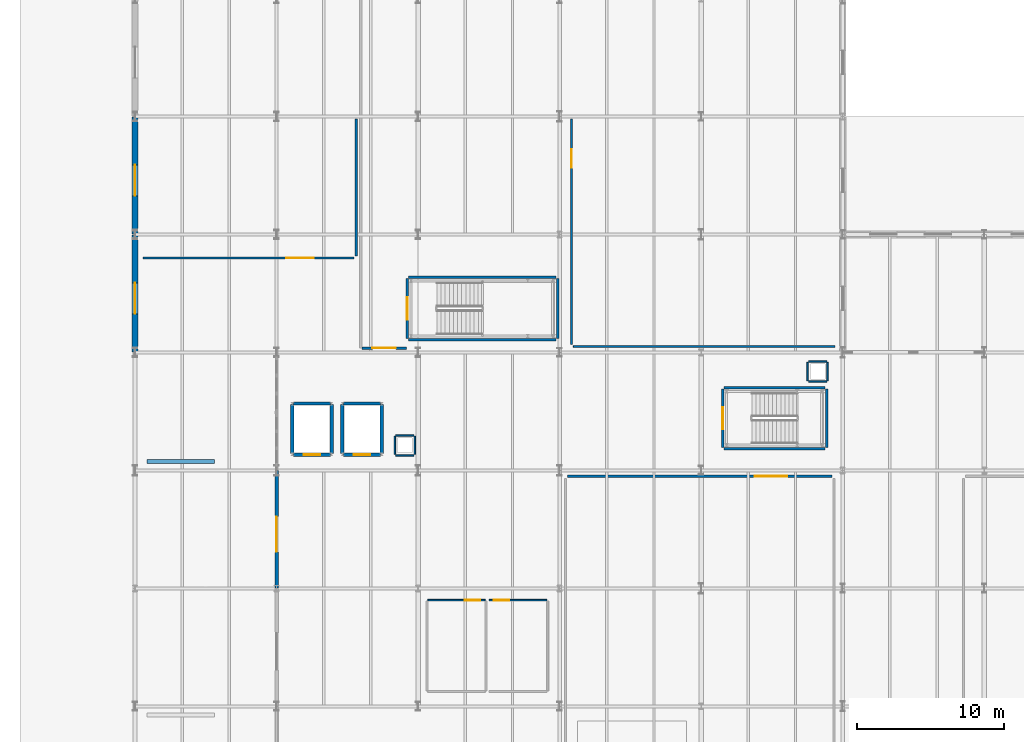
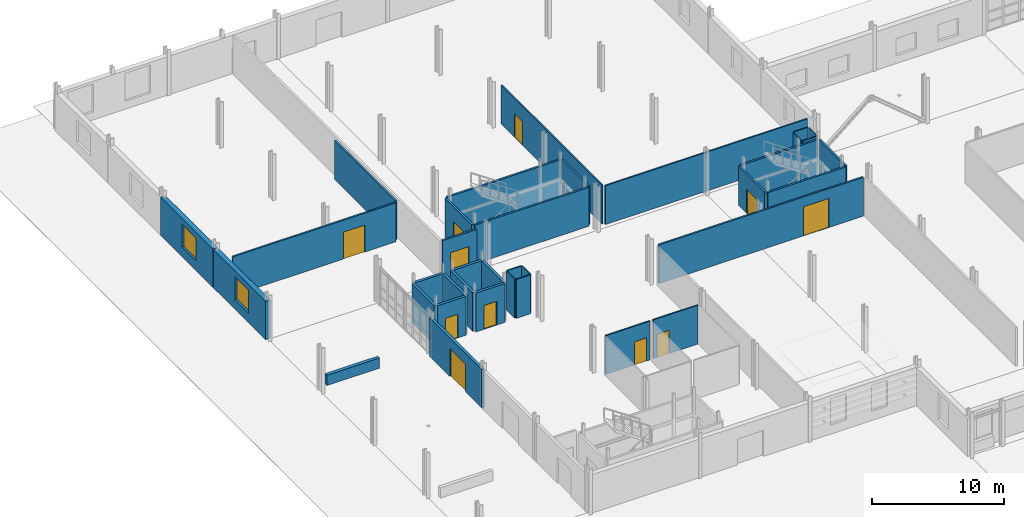
# One storey, part 61 of 78: 36 walls, 11 doors, 2 windows, 13 openings.
"""IFC4 building model written with IfcOpenShell, lengths in metres."""

from ifc_helpers import new_model, si_unit, direction, frame, frame_2d, origin, place, context, subcontext, project, spatial, rectangle, extrude, material, layer, layer_set, type_object, element, fill, save


model = new_model("IFC4")

# Units and contexts
model_context = context("Model", 3, precision=1e-05, world=origin(), true_north=direction((0.0, 1.0)))
body_context = subcontext(model_context, "Body", "Model", "MODEL_VIEW")
ifc_project = project(units=[si_unit("LENGTHUNIT", "METRE"), si_unit("AREAUNIT", "SQUARE_METRE"), si_unit("VOLUMEUNIT", "CUBIC_METRE"), si_unit("PLANEANGLEUNIT", "RADIAN"), si_unit("MASSUNIT", "GRAM", prefix="KILO")], contexts=[model_context])

# Site, building, storey
site_placement = place(None, origin())
site = spatial("IfcSite", under=ifc_project, at=site_placement, CompositionType="ELEMENT")
building_placement = place(site_placement, origin())
building = spatial("IfcBuilding", under=site, at=building_placement, Name="Alderhovde Museum", CompositionType="ELEMENT")
storey_placement = place(building_placement, origin())
storey = spatial("IfcBuildingStorey", under=building, at=storey_placement, Name="L00", CompositionType="ELEMENT", Elevation=0.0)

# Wall, opening, window
ifc_material_1 = material(Name="Nordic Granite Plinth Masonry", Category="masonry")
ifc_layer_1 = layer(ifc_material_1, 0.419921875)
ifc_layer_set_1 = layer_set([ifc_layer_1], Name="Nordic Granite Plinth Masonry")
wall_type_1 = type_object("IfcWallType", Name="EW-GRAN-420", PredefinedType="SOLIDWALL", material=ifc_layer_set_1)
wall_1_placement = place(storey_placement, frame((9.60009765625, 80.02001953125, 0.0), z_axis=(0.0, 0.0, 1.0), x_axis=(0.0, 1.0, 0.0)))
wall_1 = element("IfcWall", 1, at=wall_1_placement, inside=storey, type_object=wall_type_1, Name="L00 North Wing West Wall 120", PredefinedType="SOLIDWALL", context=body_context, shape_type="SweptSolid", body=[
    extrude(rectangle(XDim=7.9599609375, YDim=0.419921875, at=frame_2d((3.97998046875, 0.0))), origin(), (0.0, 0.0, 1.0), 3.56005859375),
])
opening_1_placement = place(wall_1_placement, frame((2.60009765625, 0.0, 0.89990234375)))
opening_1 = element("IfcOpeningElement", 2, at=opening_1_placement, cuts=wall_1, Name="Opening W10", PredefinedType="OPENING", context=body_context, shape_type="SweptSolid", body=[
    extrude(rectangle(XDim=2.10009765625, YDim=2.10009765625, at=frame_2d((1.050048828125, 1.050048828125))), frame((0.0, 0.219970703125, 0.0), z_axis=(0.0, -1.0, 0.0), x_axis=(1.0, 0.0, 0.0)), (0.0, 0.0, 1.0), 0.43994140625),
])
ifc_material_2 = material(Name="Triple-Glazed Low-E Bronze-Anodised Aluminium", Category="aluminium")
window_type = type_object("IfcWindowType", Name="WIN-BA-2100x2100", PartitioningType="DOUBLE_PANEL_VERTICAL", PredefinedType="WINDOW", material=ifc_material_2)
window_1_placement = place(opening_1_placement, origin())
window_1 = element("IfcWindow", 3, at=window_1_placement, inside=storey, type_object=window_type, Name="L00 Facade Window 95", OverallHeight=2.10009765625, OverallWidth=2.10009765625, PartitioningType="SINGLE_PANEL", PredefinedType="WINDOW", context=body_context, shape_type="SweptSolid", body=[
    extrude(rectangle(XDim=2.10009765625, YDim=2.10009765625, at=frame_2d((1.050048828125, 1.050048828125))), frame((0.0, 0.030029296875, 0.0), z_axis=(0.0, -1.0, 0.0), x_axis=(1.0, 0.0, 0.0)), (0.0, 0.0, 1.0), 0.06005859375),
])
fill(opening_1, window_1)

wall_2_placement = place(storey_placement, frame((9.60009765625, 88.02001953125, 0.0), z_axis=(0.0, 0.0, 1.0), x_axis=(0.0, 1.0, 0.0)))
wall_2 = element("IfcWall", 4, at=wall_2_placement, inside=storey, type_object=wall_type_1, Name="L00 North Wing West Wall 122", PredefinedType="SOLIDWALL", context=body_context, shape_type="SweptSolid", body=[
    extrude(rectangle(XDim=7.9599609375, YDim=0.419921875, at=frame_2d((3.97998046875, 0.0))), origin(), (0.0, 0.0, 1.0), 3.56005859375),
])
opening_2_placement = place(wall_2_placement, frame((2.60009765625, 0.0, 0.89990234375)))
opening_2 = element("IfcOpeningElement", 5, at=opening_2_placement, cuts=wall_2, Name="Opening W10", PredefinedType="OPENING", context=body_context, shape_type="SweptSolid", body=[
    extrude(rectangle(XDim=2.10009765625, YDim=2.10009765625, at=frame_2d((1.050048828125, 1.050048828125))), frame((0.0, 0.219970703125, 0.0), z_axis=(0.0, -1.0, 0.0), x_axis=(1.0, 0.0, 0.0)), (0.0, 0.0, 1.0), 0.43994140625),
])
window_2_placement = place(opening_2_placement, origin())
window_2 = element("IfcWindow", 6, at=window_2_placement, inside=storey, type_object=window_type, Name="L00 Facade Window 97", OverallHeight=2.10009765625, OverallWidth=2.10009765625, PartitioningType="SINGLE_PANEL", PredefinedType="WINDOW", context=body_context, shape_type="SweptSolid", body=[
    extrude(rectangle(XDim=2.10009765625, YDim=2.10009765625, at=frame_2d((1.050048828125, 1.050048828125))), frame((0.0, 0.030029296875, 0.0), z_axis=(0.0, -1.0, 0.0), x_axis=(1.0, 0.0, 0.0)), (0.0, 0.0, 1.0), 0.06005859375),
])
fill(opening_2, window_2)

# Wall, opening, door
ifc_material_3 = material(Name="Bronze and Granite Portal Wall", Category="masonry")
ifc_layer_2 = layer(ifc_material_3, 0.239990234375)
ifc_layer_set_2 = layer_set([ifc_layer_2], Name="Bronze and Granite Portal Wall")
wall_type_2 = type_object("IfcWallType", Name="EW-PORCH-240", PredefinedType="SOLIDWALL", material=ifc_layer_set_2)
wall_3_placement = place(storey_placement, frame((19.199951171875, 64.02001953125, 0.0), z_axis=(0.0, 0.0, 1.0), x_axis=(0.0, 1.0, 0.0)))
wall_3 = element("IfcWall", 7, at=wall_3_placement, inside=storey, type_object=wall_type_2, Name="L00 Recessed West Entrance Portal Wall 3", PredefinedType="SOLIDWALL", context=body_context, shape_type="SweptSolid", body=[
    extrude(rectangle(XDim=7.9599609375, YDim=0.239990234375, at=frame_2d((3.97998046875, 0.0))), origin(), (0.0, 0.0, 1.0), 3.56005859375),
])
opening_3_placement = place(wall_3_placement, frame((2.449951171875, 0.0, 0.0)))
opening_3 = element("IfcOpeningElement", 8, at=opening_3_placement, cuts=wall_3, Name="Opening ED05", PredefinedType="OPENING", context=body_context, shape_type="SweptSolid", body=[
    extrude(rectangle(XDim=2.39990234375, YDim=2.550048828125, at=frame_2d((1.199951171875, 1.27490234375))), frame((0.0, 0.1298828125, 0.0), z_axis=(0.0, -1.0, 0.0), x_axis=(1.0, 0.0, 0.0)), (0.0, 0.0, 1.0), 0.260009765625),
])
ifc_material_4 = material(Name="Thermally Broken Bronze-Anodised Aluminium and Laminated Glass", Category="aluminium")
door_type_1 = type_object("IfcDoorType", Name="DR-EXT-2400x2550", OperationType="NOTDEFINED", PredefinedType="DOOR", material=ifc_material_4)
door_1_placement = place(opening_3_placement, origin())
door_1 = element("IfcDoor", 9, at=door_1_placement, inside=storey, type_object=door_type_1, Name="West Prow Entrance Door 2", OperationType="DOUBLE_DOOR_SINGLE_SWING", OverallHeight=2.550048828125, OverallWidth=2.39990234375, PredefinedType="DOOR", context=body_context, shape_type="SweptSolid", body=[
    extrude(rectangle(XDim=2.39990234375, YDim=2.550048828125, at=frame_2d((1.199951171875, 1.27490234375))), frame((0.0, 0.02490234375, 0.0), z_axis=(0.0, -1.0, 0.0), x_axis=(1.0, 0.0, 0.0)), (0.0, 0.0, 1.0), 0.050048828125),
])
fill(opening_3, door_1)

ifc_material_5 = material(Name="Plywood-Backed Gallery Display Partition", Category="wood")
ifc_layer_3 = layer(ifc_material_5, 0.14990234375)
ifc_layer_set_3 = layer_set([ifc_layer_3], Name="Plywood-Backed Gallery Display Partition")
wall_type_3 = type_object("IfcWallType", Name="IW-GAL-150", PredefinedType="PARTITIONING", material=ifc_layer_set_3)
wall_4_placement = place(storey_placement, frame((38.93994140625, 71.60009765625, 0.0), z_axis=(0.0, 0.0, 1.0), x_axis=(1.0, 0.0, 0.0)))
wall_4 = element("IfcWall", 10, at=wall_4_placement, inside=storey, type_object=wall_type_3, Name="L00 Permanent Sculpture Gallery West Partition Wall N", PredefinedType="PARTITIONING", context=body_context, shape_type="SweptSolid", body=[
    extrude(rectangle(XDim=17.920166015625, YDim=0.14990234375, at=frame_2d((8.9599609375, 0.0))), origin(), (0.0, 0.0, 1.0), 3.60009765625),
])
opening_4_placement = place(wall_4_placement, frame((12.68603515625, 0.0, 0.0)))
opening_4 = element("IfcOpeningElement", 11, at=opening_4_placement, cuts=wall_4, Name="Opening D01", PredefinedType="OPENING", context=body_context, shape_type="SweptSolid", body=[
    extrude(rectangle(XDim=2.199951171875, YDim=2.699951171875, at=frame_2d((1.10009765625, 1.35009765625))), frame((0.0, 0.0849609375, 0.0), z_axis=(0.0, -1.0, 0.0), x_axis=(1.0, 0.0, 0.0)), (0.0, 0.0, 1.0), 0.169921875),
])
ifc_material_6 = material(Name="Grand Gallery Portal Double Door (Steel/Oak)", Category="steel")
door_type_2 = type_object("IfcDoorType", Name="ID-GAL-2200x2700", OperationType="NOTDEFINED", PredefinedType="DOOR", material=ifc_material_6)
door_2_placement = place(opening_4_placement, origin())
door_2 = element("IfcDoor", 12, at=door_2_placement, inside=storey, type_object=door_type_2, Name="L00 Permanent Sculpture Gallery West Door", OperationType="DOUBLE_DOOR_SINGLE_SWING", OverallHeight=2.699951171875, OverallWidth=2.199951171875, PredefinedType="DOOR", context=body_context, shape_type="SweptSolid", body=[
    extrude(rectangle(XDim=2.199951171875, YDim=2.699951171875, at=frame_2d((1.10009765625, 1.35009765625))), frame((0.0, 0.02490234375, 0.0), z_axis=(0.0, -1.0, 0.0), x_axis=(1.0, 0.0, 0.0)), (0.0, 0.0, 1.0), 0.050048828125),
])
fill(opening_4, door_2)

wall_5_placement = place(storey_placement, frame((10.139892578125, 86.39990234375, 0.0), z_axis=(0.0, 0.0, 1.0), x_axis=(1.0, 0.0, 0.0)))
wall_5 = element("IfcWall", 13, at=wall_5_placement, inside=storey, type_object=wall_type_3, Name="L00 Nordic Fauna Exhibition Hall Partition Wall S", PredefinedType="PARTITIONING", context=body_context, shape_type="SweptSolid", body=[
    extrude(rectangle(XDim=14.320068359375, YDim=0.14990234375, at=frame_2d((7.16015625, 0.0))), origin(), (0.0, 0.0, 1.0), 3.60009765625),
])
opening_5_placement = place(wall_5_placement, frame((9.722900390625, 0.0, 0.0)))
opening_5 = element("IfcOpeningElement", 14, at=opening_5_placement, cuts=wall_5, Name="Opening D03", PredefinedType="OPENING", context=body_context, shape_type="SweptSolid", body=[
    extrude(rectangle(XDim=1.85009765625, YDim=2.5, at=frame_2d((0.925048828125, 1.25))), frame((0.0, 0.0849609375, 0.0), z_axis=(0.0, -1.0, 0.0), x_axis=(1.0, 0.0, 0.0)), (0.0, 0.0, 1.0), 0.169921875),
])
ifc_material_7 = material(Name="Gallery Passage Double Door (Steel/Oak)", Category="steel")
door_type_3 = type_object("IfcDoorType", Name="ID-GAL-1850x2500", OperationType="NOTDEFINED", PredefinedType="DOOR", material=ifc_material_7)
door_3_placement = place(opening_5_placement, origin())
door_3 = element("IfcDoor", 15, at=door_3_placement, inside=storey, type_object=door_type_3, Name="L00 Nordic Fauna Exhibition Hall Door", OperationType="DOUBLE_DOOR_SINGLE_SWING", OverallHeight=2.5, OverallWidth=1.85009765625, PredefinedType="DOOR", context=body_context, shape_type="SweptSolid", body=[
    extrude(rectangle(XDim=1.85009765625, YDim=2.5, at=frame_2d((0.925048828125, 1.25))), frame((0.0, 0.02490234375, 0.0), z_axis=(0.0, -1.0, 0.0), x_axis=(1.0, 0.0, 0.0)), (0.0, 0.0, 1.0), 0.050048828125),
])
fill(opening_5, door_3)

# Walls
wall_6_placement = place(storey_placement, frame((24.60009765625, 86.5400390625, 0.0), z_axis=(0.0, 0.0, 1.0), x_axis=(0.0, 1.0, 0.0)))
element("IfcWall", 16, at=wall_6_placement, inside=storey, type_object=wall_type_3, Name="L00 Nordic Fauna Exhibition Hall Partition Wall E", PredefinedType="PARTITIONING", context=body_context, shape_type="SweptSolid", body=[
    extrude(rectangle(XDim=9.2900390625, YDim=0.14990234375, at=frame_2d((4.64501953125, 0.0))), origin(), (0.0, 0.0, 1.0), 3.60009765625),
])
ifc_material_8 = material(Name="Acoustic Service Riser Lining Wall")
ifc_layer_4 = layer(ifc_material_8, 0.10009765625)
ifc_layer_set_4 = layer_set([ifc_layer_4], Name="Acoustic Service Riser Lining Wall")
wall_type_4 = type_object("IfcWallType", Name="IW-LIN-100", PredefinedType="PARTITIONING", material=ifc_layer_set_4)
for number, where, z_axis, x_axis, name in (
    (17, (27.280029296875, 74.3798828125, 0.0), (0.0, 0.0, 1.0), (1.0, 0.0, 0.0), "L00 Service Riser RSR-V1A Shaft Wall N"),
    (18, (27.280029296875, 73.02001953125, 0.0), (0.0, 0.0, 1.0), (1.0, 0.0, 0.0), "L00 Service Riser RSR-V1A Shaft Wall S"),
    (19, (27.219970703125, 73.080078125, 0.0), (0.0, 0.0, 1.0), (0.0, 1.0, 0.0), "L00 Service Riser RSR-V1A Shaft Wall W"),
    (20, (28.580078125, 73.080078125, 0.0), (0.0, 0.0, 1.0), (0.0, 1.0, 0.0), "L00 Service Riser RSR-V1A Shaft Wall E"),
    (21, (55.280029296875, 79.3798828125, 0.0), (0.0, 0.0, 1.0), (1.0, 0.0, 0.0), "L00 Service Riser RSR-V4 Shaft Wall N"),
    (22, (55.280029296875, 78.02001953125, 0.0), (0.0, 0.0, 1.0), (1.0, 0.0, 0.0), "L00 Service Riser RSR-V4 Shaft Wall S"),
    (23, (55.219970703125, 78.080078125, 0.0), (0.0, 0.0, 1.0), (0.0, 1.0, 0.0), "L00 Service Riser RSR-V4 Shaft Wall W"),
    (24, (56.580078125, 78.080078125, 0.0), (0.0, 0.0, 1.0), (0.0, 1.0, 0.0), "L00 Service Riser RSR-V4 Shaft Wall E"),
):
    element("IfcWall", number, at=place(storey_placement, frame(where, z_axis=z_axis, x_axis=x_axis)), inside=storey, type_object=wall_type_4, Name=name, PredefinedType="PARTITIONING", context=body_context, shape_type="SweptSolid", body=[
        extrude(rectangle(XDim=1.239990234375, YDim=0.10009765625, at=frame_2d((0.6201171875, 0.0))), origin(), (0.0, 0.0, 1.0), 3.60009765625),
    ])
ifc_material_9 = material(Name="Insulated Metal-Stud Room Partition")
ifc_layer_5 = layer(ifc_material_9, 0.125)
ifc_layer_set_5 = layer_set([ifc_layer_5], Name="Insulated Metal-Stud Room Partition")
wall_type_5 = type_object("IfcWallType", Name="IW-PART-125", PredefinedType="PARTITIONING", material=ifc_layer_set_5)
wall_7_placement = place(storey_placement, frame((39.340087890625, 80.39990234375, 0.0), z_axis=(0.0, 0.0, 1.0), x_axis=(1.0, 0.0, 0.0)))
element("IfcWall", 25, at=wall_7_placement, inside=storey, type_object=wall_type_5, Name="L00 Education Workshop Partition Wall S", PredefinedType="PARTITIONING", context=body_context, shape_type="SweptSolid", body=[
    extrude(rectangle(XDim=17.719970703125, YDim=0.125, at=frame_2d((8.85986328125, 0.0))), origin(), (0.0, 0.0, 1.0), 3.60009765625),
])

# Wall, opening, door
wall_8_placement = place(storey_placement, frame((39.199951171875, 80.5400390625, 0.0), z_axis=(0.0, 0.0, 1.0), x_axis=(0.0, 1.0, 0.0)))
wall_8 = element("IfcWall", 26, at=wall_8_placement, inside=storey, type_object=wall_type_5, Name="L00 Education Workshop Partition Wall W", PredefinedType="PARTITIONING", context=body_context, shape_type="SweptSolid", body=[
    extrude(rectangle(XDim=15.2900390625, YDim=0.125, at=frame_2d((7.64501953125, 0.0))), origin(), (0.0, 0.0, 1.0), 3.60009765625),
])
opening_6_placement = place(wall_8_placement, frame((12.0, 0.0, 0.0)))
opening_6 = element("IfcOpeningElement", 27, at=opening_6_placement, cuts=wall_8, Name="Opening D06", PredefinedType="OPENING", context=body_context, shape_type="SweptSolid", body=[
    extrude(rectangle(XDim=1.25, YDim=2.199951171875, at=frame_2d((0.625, 1.10009765625))), frame((0.0, 0.072509765625, 0.0), z_axis=(0.0, -1.0, 0.0), x_axis=(1.0, 0.0, 0.0)), (0.0, 0.0, 1.0), 0.14501953125),
])
ifc_material_10 = material(Name="Oak Education Studio Door (Steel/Oak)", Category="steel")
door_type_4 = type_object("IfcDoorType", Name="ID-EDU-1250x2200", OperationType="NOTDEFINED", PredefinedType="DOOR", material=ifc_material_10)
door_4_placement = place(opening_6_placement, origin())
door_4 = element("IfcDoor", 28, at=door_4_placement, inside=storey, type_object=door_type_4, Name="L00 Education Workshop Door", OperationType="SINGLE_SWING_RIGHT", OverallHeight=2.199951171875, OverallWidth=1.25, PredefinedType="DOOR", context=body_context, shape_type="SweptSolid", body=[
    extrude(rectangle(XDim=1.25, YDim=2.199951171875, at=frame_2d((0.625, 1.10009765625))), frame((0.0, 0.02490234375, 0.0), z_axis=(0.0, -1.0, 0.0), x_axis=(1.0, 0.0, 0.0)), (0.0, 0.0, 1.0), 0.050048828125),
])
fill(opening_6, door_4)

ifc_material_11 = material(Name="Concrete C40/50 and Fireboard Shaft Wall", Category="concrete")
ifc_layer_6 = layer(ifc_material_11, 0.22998046875)
ifc_layer_set_6 = layer_set([ifc_layer_6], Name="Concrete C40/50 and Fireboard Shaft Wall")
wall_type_6 = type_object("IfcWallType", Name="IW-SHAFT-230", PredefinedType="SOLIDWALL", material=ifc_layer_set_6)
wall_9_placement = place(storey_placement, frame((20.340087890625, 73.06005859375, 0.0), z_axis=(0.0, 0.0, 1.0), x_axis=(1.0, 0.0, 0.0)))
wall_9 = element("IfcWall", 29, at=wall_9_placement, inside=storey, type_object=wall_type_6, Name="L00 Passenger Lift PL-01 Shaft Wall South", PredefinedType="SOLIDWALL", context=body_context, shape_type="SweptSolid", body=[
    extrude(rectangle(XDim=2.52001953125, YDim=0.22998046875, at=frame_2d((1.260009765625, 0.0))), origin(), (0.0, 0.0, 1.0), 3.60009765625),
])
opening_7_placement = place(wall_9_placement, frame((0.7099609375, 0.0, 0.0)))
opening_7 = element("IfcOpeningElement", 30, at=opening_7_placement, cuts=wall_9, Name="Opening LD-1", PredefinedType="OPENING", context=body_context, shape_type="SweptSolid", body=[
    extrude(rectangle(XDim=1.10009765625, YDim=2.199951171875, at=frame_2d((0.550048828125, 1.10009765625))), frame((0.0, 0.125, 0.0), z_axis=(0.0, -1.0, 0.0), x_axis=(1.0, 0.0, 0.0)), (0.0, 0.0, 1.0), 0.25),
])
ifc_material_12 = material(Name="Passenger Lift Sliding Landing Door (Steel/Oak)", Category="steel")
door_type_5 = type_object("IfcDoorType", Name="LD-PASS-1100x2200", OperationType="SLIDING_TO_LEFT", PredefinedType="DOOR", material=ifc_material_12)
door_5_placement = place(opening_7_placement, origin())
door_5 = element("IfcDoor", 31, at=door_5_placement, inside=storey, type_object=door_type_5, Name="L00 Passenger Lift PL-01 Landing Door", OperationType="SLIDING_TO_LEFT", OverallHeight=2.199951171875, OverallWidth=1.10009765625, PredefinedType="DOOR", context=body_context, shape_type="SweptSolid", body=[
    extrude(rectangle(XDim=1.10009765625, YDim=2.199951171875, at=frame_2d((0.550048828125, 1.10009765625))), frame((0.0, 0.02490234375, 0.0), z_axis=(0.0, -1.0, 0.0), x_axis=(1.0, 0.0, 0.0)), (0.0, 0.0, 1.0), 0.050048828125),
])
fill(opening_7, door_5)

# Walls
wall_10_placement = place(storey_placement, frame((20.340087890625, 76.5400390625, 0.0), z_axis=(0.0, 0.0, 1.0), x_axis=(1.0, 0.0, 0.0)))
element("IfcWall", 32, at=wall_10_placement, inside=storey, type_object=wall_type_6, Name="L00 Passenger Lift PL-01 Shaft Wall North", PredefinedType="SOLIDWALL", context=body_context, shape_type="SweptSolid", body=[
    extrude(rectangle(XDim=2.52001953125, YDim=0.22998046875, at=frame_2d((1.260009765625, 0.0))), origin(), (0.0, 0.0, 1.0), 3.60009765625),
])
for number, where, z_axis, x_axis, name in (
    (33, (20.260009765625, 73.139892578125, 0.0), (0.0, 0.0, 1.0), (0.0, 1.0, 0.0), "L00 Passenger Lift PL-01 Shaft Wall West"),
    (34, (22.93994140625, 73.139892578125, 0.0), (0.0, 0.0, 1.0), (0.0, 1.0, 0.0), "L00 Passenger Lift PL-01 Shaft Wall East"),
):
    element("IfcWall", number, at=place(storey_placement, frame(where, z_axis=z_axis, x_axis=x_axis)), inside=storey, type_object=wall_type_6, Name=name, PredefinedType="SOLIDWALL", context=body_context, shape_type="SweptSolid", body=[
        extrude(rectangle(XDim=3.320068359375, YDim=0.22998046875, at=frame_2d((1.66015625, 0.0))), origin(), (0.0, 0.0, 1.0), 3.60009765625),
    ])

# Wall, opening, door
wall_11_placement = place(storey_placement, frame((23.739990234375, 73.06005859375, 0.0), z_axis=(0.0, 0.0, 1.0), x_axis=(1.0, 0.0, 0.0)))
wall_11 = element("IfcWall", 35, at=wall_11_placement, inside=storey, type_object=wall_type_6, Name="L00 Passenger Lift PL-02 Shaft Wall South", PredefinedType="SOLIDWALL", context=body_context, shape_type="SweptSolid", body=[
    extrude(rectangle(XDim=2.52001953125, YDim=0.22998046875, at=frame_2d((1.260009765625, 0.0))), origin(), (0.0, 0.0, 1.0), 3.60009765625),
])
opening_8_placement = place(wall_11_placement, frame((0.7099609375, 0.0, 0.0)))
opening_8 = element("IfcOpeningElement", 36, at=opening_8_placement, cuts=wall_11, Name="Opening LD-1", PredefinedType="OPENING", context=body_context, shape_type="SweptSolid", body=[
    extrude(rectangle(XDim=1.10009765625, YDim=2.199951171875, at=frame_2d((0.550048828125, 1.10009765625))), frame((0.0, 0.125, 0.0), z_axis=(0.0, -1.0, 0.0), x_axis=(1.0, 0.0, 0.0)), (0.0, 0.0, 1.0), 0.25),
])
door_6_placement = place(opening_8_placement, origin())
door_6 = element("IfcDoor", 37, at=door_6_placement, inside=storey, type_object=door_type_5, Name="L00 Passenger Lift PL-02 Landing Door", OperationType="SLIDING_TO_RIGHT", OverallHeight=2.199951171875, OverallWidth=1.10009765625, PredefinedType="DOOR", context=body_context, shape_type="SweptSolid", body=[
    extrude(rectangle(XDim=1.10009765625, YDim=2.199951171875, at=frame_2d((0.550048828125, 1.10009765625))), frame((0.0, 0.02490234375, 0.0), z_axis=(0.0, -1.0, 0.0), x_axis=(1.0, 0.0, 0.0)), (0.0, 0.0, 1.0), 0.050048828125),
])
fill(opening_8, door_6)

# Walls
wall_12_placement = place(storey_placement, frame((23.739990234375, 76.5400390625, 0.0), z_axis=(0.0, 0.0, 1.0), x_axis=(1.0, 0.0, 0.0)))
element("IfcWall", 38, at=wall_12_placement, inside=storey, type_object=wall_type_6, Name="L00 Passenger Lift PL-02 Shaft Wall North", PredefinedType="SOLIDWALL", context=body_context, shape_type="SweptSolid", body=[
    extrude(rectangle(XDim=2.52001953125, YDim=0.22998046875, at=frame_2d((1.260009765625, 0.0))), origin(), (0.0, 0.0, 1.0), 3.60009765625),
])
for number, where, z_axis, x_axis, name in (
    (39, (23.659912109375, 73.139892578125, 0.0), (0.0, 0.0, 1.0), (0.0, 1.0, 0.0), "L00 Passenger Lift PL-02 Shaft Wall West"),
    (40, (26.340087890625, 73.139892578125, 0.0), (0.0, 0.0, 1.0), (0.0, 1.0, 0.0), "L00 Passenger Lift PL-02 Shaft Wall East"),
):
    element("IfcWall", number, at=place(storey_placement, frame(where, z_axis=z_axis, x_axis=x_axis)), inside=storey, type_object=wall_type_6, Name=name, PredefinedType="SOLIDWALL", context=body_context, shape_type="SweptSolid", body=[
        extrude(rectangle(XDim=3.320068359375, YDim=0.22998046875, at=frame_2d((1.66015625, 0.0))), origin(), (0.0, 0.0, 1.0), 3.60009765625),
    ])

# Wall, opening, door
ifc_material_13 = material(Name="Fire-Resisting Stair Lobby Wall")
ifc_layer_7 = layer(ifc_material_13, 0.169921875)
ifc_layer_set_7 = layer_set([ifc_layer_7], Name="Fire-Resisting Stair Lobby Wall")
wall_type_7 = type_object("IfcWallType", Name="IW-STAIR-170", PredefinedType="SOLIDWALL", material=ifc_layer_set_7)
wall_13_placement = place(storey_placement, frame((28.06005859375, 80.9599609375, 0.0), z_axis=(0.0, 0.0, 1.0), x_axis=(0.0, 1.0, 0.0)))
wall_13 = element("IfcWall", 41, at=wall_13_placement, inside=storey, type_object=wall_type_7, Name="L00 Escape Stair ST2 Fire Wall W", PredefinedType="SOLIDWALL", context=body_context, shape_type="SweptSolid", body=[
    extrude(rectangle(XDim=4.0400390625, YDim=0.169921875, at=frame_2d((2.02001953125, 0.0))), origin(), (0.0, 0.0, 1.0), 3.60009765625),
])
opening_9_placement = place(wall_13_placement, frame((1.27001953125, 0.0, 0.0)))
opening_9 = element("IfcOpeningElement", 42, at=opening_9_placement, cuts=wall_13, Name="Opening FD-1", PredefinedType="OPENING", context=body_context, shape_type="SweptSolid", body=[
    extrude(rectangle(XDim=1.5, YDim=2.199951171875, at=frame_2d((0.75, 1.10009765625))), frame((0.0, 0.094970703125, 0.0), z_axis=(0.0, -1.0, 0.0), x_axis=(1.0, 0.0, 0.0)), (0.0, 0.0, 1.0), 0.18994140625),
])
ifc_material_14 = material(Name="Fire-Rated Steel Stair Escape Door (Steel/Oak)", Category="steel")
door_type_6 = type_object("IfcDoorType", Name="FD-STAIR-1500x2200", OperationType="NOTDEFINED", PredefinedType="DOOR", material=ifc_material_14)
door_7_placement = place(opening_9_placement, origin())
door_7 = element("IfcDoor", 43, at=door_7_placement, inside=storey, type_object=door_type_6, Name="L00 Escape Stair ST2 Fire Door", OperationType="SINGLE_SWING_LEFT", OverallHeight=2.199951171875, OverallWidth=1.5, PredefinedType="DOOR", context=body_context, shape_type="SweptSolid", body=[
    extrude(rectangle(XDim=1.5, YDim=2.199951171875, at=frame_2d((0.75, 1.10009765625))), frame((0.0, 0.02490234375, 0.0), z_axis=(0.0, -1.0, 0.0), x_axis=(1.0, 0.0, 0.0)), (0.0, 0.0, 1.0), 0.050048828125),
])
fill(opening_9, door_7)

# Walls
wall_14_placement = place(storey_placement, frame((38.260009765625, 80.9599609375, 0.0), z_axis=(0.0, 0.0, 1.0), x_axis=(0.0, 1.0, 0.0)))
element("IfcWall", 44, at=wall_14_placement, inside=storey, type_object=wall_type_7, Name="L00 Escape Stair ST2 Fire Wall E", PredefinedType="SOLIDWALL", context=body_context, shape_type="SweptSolid", body=[
    extrude(rectangle(XDim=4.0400390625, YDim=0.169921875, at=frame_2d((2.02001953125, 0.0))), origin(), (0.0, 0.0, 1.0), 3.60009765625),
])
for number, where, z_axis, x_axis, name in (
    (45, (28.159912109375, 80.860107421875, 0.0), (0.0, 0.0, 1.0), (1.0, 0.0, 0.0), "L00 Escape Stair ST2 Fire Wall S"),
    (46, (28.159912109375, 85.10009765625, 0.0), (0.0, 0.0, 1.0), (1.0, 0.0, 0.0), "L00 Escape Stair ST2 Fire Wall N"),
):
    element("IfcWall", number, at=place(storey_placement, frame(where, z_axis=z_axis, x_axis=x_axis)), inside=storey, type_object=wall_type_7, Name=name, PredefinedType="SOLIDWALL", context=body_context, shape_type="SweptSolid", body=[
        extrude(rectangle(XDim=10.0, YDim=0.169921875, at=frame_2d((5.0, 0.0))), origin(), (0.0, 0.0, 1.0), 3.60009765625),
    ])

# Wall, opening, door
wall_15_placement = place(storey_placement, frame((49.4599609375, 73.56005859375, 0.0), z_axis=(0.0, 0.0, 1.0), x_axis=(0.0, 1.0, 0.0)))
wall_15 = element("IfcWall", 47, at=wall_15_placement, inside=storey, type_object=wall_type_7, Name="L00 Escape Stair ST6 Fire Wall W", PredefinedType="SOLIDWALL", context=body_context, shape_type="SweptSolid", body=[
    extrude(rectangle(XDim=3.9599609375, YDim=0.169921875, at=frame_2d((1.97998046875, 0.0))), origin(), (0.0, 0.0, 1.0), 3.60009765625),
])
opening_10_placement = place(wall_15_placement, frame((1.22998046875, 0.0, 0.0)))
opening_10 = element("IfcOpeningElement", 48, at=opening_10_placement, cuts=wall_15, Name="Opening FD-1", PredefinedType="OPENING", context=body_context, shape_type="SweptSolid", body=[
    extrude(rectangle(XDim=1.5, YDim=2.199951171875, at=frame_2d((0.75, 1.10009765625))), frame((0.0, 0.094970703125, 0.0), z_axis=(0.0, -1.0, 0.0), x_axis=(1.0, 0.0, 0.0)), (0.0, 0.0, 1.0), 0.18994140625),
])
door_8_placement = place(opening_10_placement, origin())
door_8 = element("IfcDoor", 49, at=door_8_placement, inside=storey, type_object=door_type_6, Name="L00 Escape Stair ST6 Fire Door", OperationType="SINGLE_SWING_LEFT", OverallHeight=2.199951171875, OverallWidth=1.5, PredefinedType="DOOR", context=body_context, shape_type="SweptSolid", body=[
    extrude(rectangle(XDim=1.5, YDim=2.199951171875, at=frame_2d((0.75, 1.10009765625))), frame((0.0, 0.02490234375, 0.0), z_axis=(0.0, -1.0, 0.0), x_axis=(1.0, 0.0, 0.0)), (0.0, 0.0, 1.0), 0.050048828125),
])
fill(opening_10, door_8)

# Walls
wall_16_placement = place(storey_placement, frame((56.5, 73.56005859375, 0.0), z_axis=(0.0, 0.0, 1.0), x_axis=(0.0, 1.0, 0.0)))
element("IfcWall", 50, at=wall_16_placement, inside=storey, type_object=wall_type_7, Name="L00 Escape Stair ST6 Fire Wall E", PredefinedType="SOLIDWALL", context=body_context, shape_type="SweptSolid", body=[
    extrude(rectangle(XDim=3.9599609375, YDim=0.169921875, at=frame_2d((1.97998046875, 0.0))), origin(), (0.0, 0.0, 1.0), 3.60009765625),
])
for number, where, z_axis, x_axis, name in (
    (51, (49.56005859375, 73.4599609375, 0.0), (0.0, 0.0, 1.0), (1.0, 0.0, 0.0), "L00 Escape Stair ST6 Fire Wall S"),
    (52, (49.56005859375, 77.6201171875, 0.0), (0.0, 0.0, 1.0), (1.0, 0.0, 0.0), "L00 Escape Stair ST6 Fire Wall N"),
):
    element("IfcWall", number, at=place(storey_placement, frame(where, z_axis=z_axis, x_axis=x_axis)), inside=storey, type_object=wall_type_7, Name=name, PredefinedType="SOLIDWALL", context=body_context, shape_type="SweptSolid", body=[
        extrude(rectangle(XDim=6.83984375, YDim=0.169921875, at=frame_2d((3.419921875, 0.0))), origin(), (0.0, 0.0, 1.0), 3.60009765625),
    ])

# Wall, opening, door
wall_17_placement = place(storey_placement, frame((25.0, 80.300048828125, 0.0), z_axis=(0.0, 0.0, 1.0), x_axis=(1.0, 0.0, 0.0)))
wall_17 = element("IfcWall", 53, at=wall_17_placement, inside=storey, type_object=wall_type_7, Name="L00 Protected Exit Corridor ST2 South Wall", PredefinedType="SOLIDWALL", context=body_context, shape_type="SweptSolid", body=[
    extrude(rectangle(XDim=3.0, YDim=0.169921875, at=frame_2d((1.5, 0.0))), origin(), (0.0, 0.0, 1.0), 3.60009765625),
])
opening_11_placement = place(wall_17_placement, frame((0.699951171875, 0.0, 0.0)))
opening_11 = element("IfcOpeningElement", 54, at=opening_11_placement, cuts=wall_17, Name="Opening FD-3", PredefinedType="OPENING", context=body_context, shape_type="SweptSolid", body=[
    extrude(rectangle(XDim=1.60009765625, YDim=2.25, at=frame_2d((0.800048828125, 1.125))), frame((0.0, 0.094970703125, 0.0), z_axis=(0.0, -1.0, 0.0), x_axis=(1.0, 0.0, 0.0)), (0.0, 0.0, 1.0), 0.18994140625),
])
ifc_material_15 = material(Name="Fire-Rated Compartment Double Door (Steel/Oak)", Category="steel")
door_type_7 = type_object("IfcDoorType", Name="FD-COMP-1600x2250", OperationType="NOTDEFINED", PredefinedType="DOOR", material=ifc_material_15)
door_9_placement = place(opening_11_placement, origin())
door_9 = element("IfcDoor", 55, at=door_9_placement, inside=storey, type_object=door_type_7, Name="L00 Protected Exit Corridor ST2 South Wall Fire Door", OperationType="DOUBLE_DOOR_SINGLE_SWING", OverallHeight=2.25, OverallWidth=1.60009765625, PredefinedType="DOOR", context=body_context, shape_type="SweptSolid", body=[
    extrude(rectangle(XDim=1.60009765625, YDim=2.25, at=frame_2d((0.800048828125, 1.125))), frame((0.0, 0.02490234375, 0.0), z_axis=(0.0, -1.0, 0.0), x_axis=(1.0, 0.0, 0.0)), (0.0, 0.0, 1.0), 0.050048828125),
])
fill(opening_11, door_9)

ifc_material_16 = material(Name="Moisture-Resistant Sanitary Partition")
ifc_layer_8 = layer(ifc_material_16, 0.114990234375)
ifc_layer_set_8 = layer_set([ifc_layer_8], Name="Moisture-Resistant Sanitary Partition")
wall_type_8 = type_object("IfcWallType", Name="IW-WC-115", PredefinedType="PARTITIONING", material=ifc_layer_set_8)
wall_18_placement = place(storey_placement, frame((29.4599609375, 63.199951171875, 0.0), z_axis=(0.0, 0.0, 1.0), x_axis=(1.0, 0.0, 0.0)))
wall_18 = element("IfcWall", 56, at=wall_18_placement, inside=storey, type_object=wall_type_8, Name="L00 Public WC Partition Wall N", PredefinedType="PARTITIONING", context=body_context, shape_type="SweptSolid", body=[
    extrude(rectangle(XDim=3.880126953125, YDim=0.114990234375, at=frame_2d((1.93994140625, 0.0))), origin(), (0.0, 0.0, 1.0), 3.60009765625),
])
opening_12_placement = place(wall_18_placement, frame((2.510009765625, 0.0, 0.0)))
opening_12 = element("IfcOpeningElement", 57, at=opening_12_placement, cuts=wall_18, Name="Opening D09", PredefinedType="OPENING", context=body_context, shape_type="SweptSolid", body=[
    extrude(rectangle(XDim=1.050048828125, YDim=2.14990234375, at=frame_2d((0.52490234375, 1.074951171875))), frame((0.0, 0.0673828125, 0.0), z_axis=(0.0, -1.0, 0.0), x_axis=(1.0, 0.0, 0.0)), (0.0, 0.0, 1.0), 0.135009765625),
])
ifc_material_17 = material(Name="Accessible Sanitary Room Door (Steel/Oak)", Category="steel")
door_type_8 = type_object("IfcDoorType", Name="ID-WC-1050x2150", OperationType="NOTDEFINED", PredefinedType="DOOR", material=ifc_material_17)
door_10_placement = place(opening_12_placement, origin())
door_10 = element("IfcDoor", 58, at=door_10_placement, inside=storey, type_object=door_type_8, Name="L00 Public WC Door", OperationType="SINGLE_SWING_LEFT", OverallHeight=2.14990234375, OverallWidth=1.050048828125, PredefinedType="DOOR", context=body_context, shape_type="SweptSolid", body=[
    extrude(rectangle(XDim=1.050048828125, YDim=2.14990234375, at=frame_2d((0.52490234375, 1.074951171875))), frame((0.0, 0.02490234375, 0.0), z_axis=(0.0, -1.0, 0.0), x_axis=(1.0, 0.0, 0.0)), (0.0, 0.0, 1.0), 0.050048828125),
])
fill(opening_12, door_10)

wall_19_placement = place(storey_placement, frame((33.610107421875, 63.199951171875, 0.0), z_axis=(0.0, 0.0, 1.0), x_axis=(1.0, 0.0, 0.0)))
wall_19 = element("IfcWall", 59, at=wall_19_placement, inside=storey, type_object=wall_type_8, Name="L00 Accessible WC Partition Wall N", PredefinedType="PARTITIONING", context=body_context, shape_type="SweptSolid", body=[
    extrude(rectangle(XDim=3.929931640625, YDim=0.114990234375, at=frame_2d((1.96484375, 0.0))), origin(), (0.0, 0.0, 1.0), 3.60009765625),
])
opening_13_placement = place(wall_19_placement, frame((0.320068359375, 0.0, 0.0)))
opening_13 = element("IfcOpeningElement", 60, at=opening_13_placement, cuts=wall_19, Name="Opening D09", PredefinedType="OPENING", context=body_context, shape_type="SweptSolid", body=[
    extrude(rectangle(XDim=1.050048828125, YDim=2.14990234375, at=frame_2d((0.52490234375, 1.074951171875))), frame((0.0, 0.0673828125, 0.0), z_axis=(0.0, -1.0, 0.0), x_axis=(1.0, 0.0, 0.0)), (0.0, 0.0, 1.0), 0.135009765625),
])
door_11_placement = place(opening_13_placement, origin())
door_11 = element("IfcDoor", 61, at=door_11_placement, inside=storey, type_object=door_type_8, Name="L00 Accessible WC Door", OperationType="SINGLE_SWING_RIGHT", OverallHeight=2.14990234375, OverallWidth=1.050048828125, PredefinedType="DOOR", context=body_context, shape_type="SweptSolid", body=[
    extrude(rectangle(XDim=1.050048828125, YDim=2.14990234375, at=frame_2d((0.52490234375, 1.074951171875))), frame((0.0, 0.02490234375, 0.0), z_axis=(0.0, -1.0, 0.0), x_axis=(1.0, 0.0, 0.0)), (0.0, 0.0, 1.0), 0.050048828125),
])
fill(opening_13, door_11)

# Wall
ifc_material_18 = material(Name="Granite Coping Parapet", Category="masonry")
ifc_layer_9 = layer(ifc_material_18, 0.280029296875)
ifc_layer_set_9 = layer_set([ifc_layer_9], Name="Granite Coping Parapet")
wall_type_9 = type_object("IfcWallType", Name="PAR-STONE-280", PredefinedType="PARAPET", material=ifc_layer_set_9)
wall_20_placement = place(storey_placement, frame((10.39990234375, 72.60009765625, 0.0), z_axis=(0.0, 0.0, 1.0), x_axis=(1.0, 0.0, 0.0)))
element("IfcWall", 62, at=wall_20_placement, inside=storey, type_object=wall_type_9, Name="L00 Court Stone Parapet PRP-L00-W2", PredefinedType="PARAPET", context=body_context, shape_type="SweptSolid", body=[
    extrude(rectangle(XDim=4.60009765625, YDim=0.280029296875, at=frame_2d((2.300048828125, 0.0))), origin(), (0.0, 0.0, 1.0), 0.949951171875),
])

save(model, "model.ifc")
